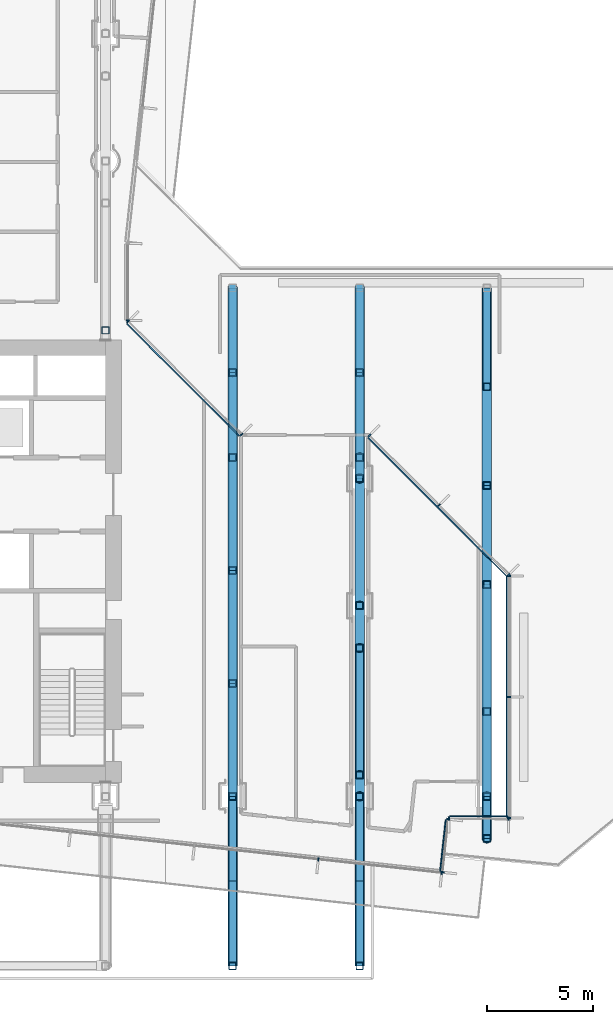
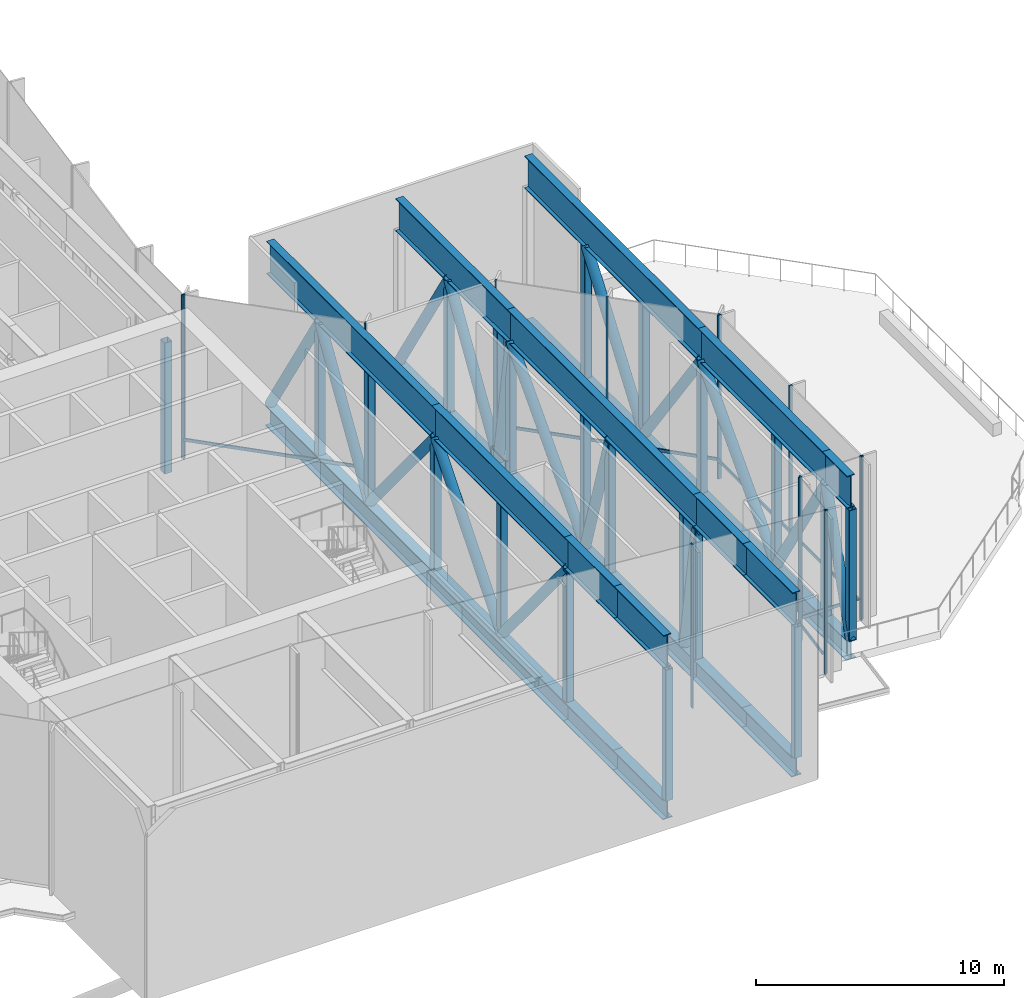
# One storey, part 4 of 24: 77 members, 7 elements without a shape of their own.
"""IFC4 building model written with IfcOpenShell, lengths in metres."""

from ifc_helpers import new_model, si_unit, direction, frame, origin, origin_2d, place, context, subcontext, project, spatial, rectangle, hollow_rectangle, hollow_circle, i_section, extrude, material, layer, layer_set, material_profile, profile_set, type_object, element, aggregate, save


model = new_model("IFC4")

# Units and contexts
model_context = context("Model", 3, precision=1e-05, world=origin(), true_north=direction((0.0, 1.0)))
body_context = subcontext(model_context, "Body", "Model", "MODEL_VIEW")
ifc_project = project(units=[si_unit("LENGTHUNIT", "METRE"), si_unit("AREAUNIT", "SQUARE_METRE"), si_unit("VOLUMEUNIT", "CUBIC_METRE"), si_unit("PLANEANGLEUNIT", "RADIAN"), si_unit("MASSUNIT", "GRAM", prefix="KILO")], contexts=[model_context])

# Site, building, storey
site_placement = place(None, origin())
site = spatial("IfcSite", under=ifc_project, at=site_placement, CompositionType="ELEMENT")
building_placement = place(site_placement, origin())
building = spatial("IfcBuilding", under=site, at=building_placement, Name="Welwitschia Terrace Campus", CompositionType="ELEMENT")
storey_placement = place(building_placement, frame((0.0, 0.0, 138.199951171875)))
storey = spatial("IfcBuildingStorey", under=building, at=storey_placement, Name="L31", CompositionType="ELEMENT", Elevation=138.199951171875)

# Curtain wall, members
ifc_material_1 = material(Name="Bronze anodised aluminium", Category="aluminium")
ifc_layer = layer(ifc_material_1, 0.159912109375)
ifc_layer_set = layer_set([ifc_layer], Name="Bronze anodised aluminium")
curtain_wall_type = type_object("IfcCurtainWallType", Name="Curtain wall CW3 commons 6000", PredefinedType="NOTDEFINED", material=ifc_layer_set)
curtain_wall_1_placement = place(storey_placement, origin())
curtain_wall_1 = element("IfcCurtainWall", 1, at=curtain_wall_1_placement, inside=storey, type_object=curtain_wall_type, Name="CW L31.2.0", PredefinedType="NOTDEFINED")
ifc_material_2 = material(Name="Bronze anodised aluminium", Category="aluminium")
ifc_material_profile_1 = material_profile(ifc_material_2, rectangle(XDim=0.159912109375, YDim=0.06005859375, at=origin_2d()))
ifc_profile_set_1 = profile_set([ifc_material_profile_1], Name="Bronze anodised aluminium")
member_type_1 = type_object("IfcMemberType", Name="Mullion 60x160", PredefinedType="MULLION", material=ifc_profile_set_1)
member_1_placement = place(storey_placement, frame((34.046630859375, 1.026611328125, 0.0), z_axis=(0.0, 0.0, 1.0), x_axis=(0.108866874852, 0.994056338222, 0.0)))
member_1 = element("IfcMember", 2, at=member_1_placement, type_object=member_type_1, Name="Mullion L31.2.0.3", PredefinedType="MULLION", context=body_context, shape_type="SweptSolid", body=[
    extrude(rectangle(XDim=0.159912109375, YDim=0.06005859375, at=origin_2d()), origin(), (0.0, 0.0, 1.0), 8.050048828125),
])
member_2_placement = place(storey_placement, frame((39.87109375, 0.388671875, 0.0), z_axis=(0.0, 0.0, 1.0), x_axis=(0.108866874852, 0.994056338222, 0.0)))
member_2 = element("IfcMember", 3, at=member_2_placement, type_object=member_type_1, Name="Mullion L31.2.0.4", PredefinedType="MULLION", context=body_context, shape_type="SweptSolid", body=[
    extrude(rectangle(XDim=0.159912109375, YDim=0.06005859375, at=origin_2d()), origin(), (0.0, 0.0, 1.0), 8.050048828125),
])
aggregate(curtain_wall_1, [member_1, member_2])

curtain_wall_2_placement = place(storey_placement, origin())
curtain_wall_2 = element("IfcCurtainWall", 4, at=curtain_wall_2_placement, inside=storey, type_object=curtain_wall_type, Name="CW L31.3.0", PredefinedType="NOTDEFINED")
member_3_placement = place(storey_placement, frame((39.904052734375, 0.415283203125, 0.0), z_axis=(0.0, 0.0, 1.0), x_axis=(-0.994056338222, 0.108866874852, 0.0)))
member_3 = element("IfcMember", 5, at=member_3_placement, type_object=member_type_1, Name="Mullion L31.3.0.0", PredefinedType="MULLION", context=body_context, shape_type="SweptSolid", body=[
    extrude(rectangle(XDim=0.159912109375, YDim=0.06005859375, at=origin_2d()), origin(), (0.0, 0.0, 1.0), 8.050048828125),
])
member_4_placement = place(storey_placement, frame((40.178466796875, 2.920166015625, 0.0), z_axis=(0.0, 0.0, 1.0), x_axis=(-0.994056338222, 0.108866874852, 0.0)))
member_4 = element("IfcMember", 6, at=member_4_placement, type_object=member_type_1, Name="Mullion L31.3.0.1", PredefinedType="MULLION", context=body_context, shape_type="SweptSolid", body=[
    extrude(rectangle(XDim=0.159912109375, YDim=0.06005859375, at=origin_2d()), origin(), (0.0, 0.0, 1.0), 8.050048828125),
])

curtain_wall_3_placement = place(storey_placement, origin())
curtain_wall_3 = element("IfcCurtainWall", 7, at=curtain_wall_3_placement, inside=storey, type_object=curtain_wall_type, Name="CW L31.4.0", PredefinedType="NOTDEFINED")
member_5_placement = place(storey_placement, frame((40.211669921875, 2.949951171875, 0.0), z_axis=(0.0, 0.0, 1.0), x_axis=(0.0, 1.0, 0.0)))
member_5 = element("IfcMember", 8, at=member_5_placement, type_object=member_type_1, Name="Mullion L31.4.0.0", PredefinedType="MULLION", context=body_context, shape_type="SweptSolid", body=[
    extrude(rectangle(XDim=0.159912109375, YDim=0.06005859375, at=origin_2d()), origin(), (0.0, 0.0, 1.0), 8.050048828125),
])
member_6_placement = place(storey_placement, frame((43.02001953125, 2.949951171875, 0.0), z_axis=(0.0, 0.0, 1.0), x_axis=(0.0, 1.0, 0.0)))
member_6 = element("IfcMember", 9, at=member_6_placement, type_object=member_type_1, Name="Mullion L31.4.0.1", PredefinedType="MULLION", context=body_context, shape_type="SweptSolid", body=[
    extrude(rectangle(XDim=0.159912109375, YDim=0.06005859375, at=origin_2d()), origin(), (0.0, 0.0, 1.0), 8.050048828125),
])

curtain_wall_4_placement = place(storey_placement, origin())
curtain_wall_4 = element("IfcCurtainWall", 10, at=curtain_wall_4_placement, inside=storey, type_object=curtain_wall_type, Name="CW L31.5.0", PredefinedType="NOTDEFINED")
member_7_placement = place(storey_placement, frame((43.050048828125, 2.97998046875, 0.0), z_axis=(0.0, 0.0, 1.0), x_axis=(-1.0, 0.0, 0.0)))
member_7 = element("IfcMember", 11, at=member_7_placement, type_object=member_type_1, Name="Mullion L31.5.0.0", PredefinedType="MULLION", context=body_context, shape_type="SweptSolid", body=[
    extrude(rectangle(XDim=0.159912109375, YDim=0.06005859375, at=origin_2d()), origin(), (0.0, 0.0, 1.0), 8.050048828125),
])
member_8_placement = place(storey_placement, frame((43.050048828125, 8.6923828125, 0.0), z_axis=(0.0, 0.0, 1.0), x_axis=(-1.0, 0.0, 0.0)))
member_8 = element("IfcMember", 12, at=member_8_placement, type_object=member_type_1, Name="Mullion L31.5.0.1", PredefinedType="MULLION", context=body_context, shape_type="SweptSolid", body=[
    extrude(rectangle(XDim=0.159912109375, YDim=0.06005859375, at=origin_2d()), origin(), (0.0, 0.0, 1.0), 8.050048828125),
])
member_9_placement = place(storey_placement, frame((43.050048828125, 14.405029296875, 0.0), z_axis=(0.0, 0.0, 1.0), x_axis=(-1.0, 0.0, 0.0)))
member_9 = element("IfcMember", 13, at=member_9_placement, type_object=member_type_1, Name="Mullion L31.5.0.2", PredefinedType="MULLION", context=body_context, shape_type="SweptSolid", body=[
    extrude(rectangle(XDim=0.159912109375, YDim=0.06005859375, at=origin_2d()), origin(), (0.0, 0.0, 1.0), 8.050048828125),
])

curtain_wall_5_placement = place(storey_placement, origin())
curtain_wall_5 = element("IfcCurtainWall", 14, at=curtain_wall_5_placement, inside=storey, type_object=curtain_wall_type, Name="CW L31.6.0", PredefinedType="NOTDEFINED")
member_10_placement = place(storey_placement, frame((43.02880859375, 14.4560546875, 0.0), z_axis=(0.0, 0.0, 1.0), x_axis=(-0.707106781187, -0.707106781187, 0.0)))
member_10 = element("IfcMember", 15, at=member_10_placement, type_object=member_type_1, Name="Mullion L31.6.0.0", PredefinedType="MULLION", context=body_context, shape_type="SweptSolid", body=[
    extrude(rectangle(XDim=0.159912109375, YDim=0.06005859375, at=origin_2d()), origin(), (0.0, 0.0, 1.0), 8.050048828125),
])
member_11_placement = place(storey_placement, frame((39.742431640625, 17.742431640625, 0.0), z_axis=(0.0, 0.0, 1.0), x_axis=(-0.707106781187, -0.707106781187, 0.0)))
member_11 = element("IfcMember", 16, at=member_11_placement, type_object=member_type_1, Name="Mullion L31.6.0.1", PredefinedType="MULLION", context=body_context, shape_type="SweptSolid", body=[
    extrude(rectangle(XDim=0.159912109375, YDim=0.06005859375, at=origin_2d()), origin(), (0.0, 0.0, 1.0), 8.050048828125),
])
member_12_placement = place(storey_placement, frame((36.4560546875, 21.02880859375, 0.0), z_axis=(0.0, 0.0, 1.0), x_axis=(-0.707106781187, -0.707106781187, 0.0)))
member_12 = element("IfcMember", 17, at=member_12_placement, type_object=member_type_1, Name="Mullion L31.6.0.2", PredefinedType="MULLION", context=body_context, shape_type="SweptSolid", body=[
    extrude(rectangle(XDim=0.159912109375, YDim=0.06005859375, at=origin_2d()), origin(), (0.0, 0.0, 1.0), 8.050048828125),
])

curtain_wall_6_placement = place(storey_placement, origin())
curtain_wall_6 = element("IfcCurtainWall", 18, at=curtain_wall_6_placement, inside=storey, type_object=curtain_wall_type, Name="CW L31.8.0", PredefinedType="NOTDEFINED")
member_13_placement = place(storey_placement, frame((30.413818359375, 21.0712890625, 0.0), z_axis=(0.0, 0.0, 1.0), x_axis=(-0.707106781187, -0.707106781187, 0.0)))
member_13 = element("IfcMember", 19, at=member_13_placement, type_object=member_type_1, Name="Mullion L31.8.0.0", PredefinedType="MULLION", context=body_context, shape_type="SweptSolid", body=[
    extrude(rectangle(XDim=0.159912109375, YDim=0.06005859375, at=origin_2d()), origin(), (0.0, 0.0, 1.0), 8.050048828125),
])
member_14_placement = place(storey_placement, frame((25.0712890625, 26.413818359375, 0.0), z_axis=(0.0, 0.0, 1.0), x_axis=(-0.707106781187, -0.707106781187, 0.0)))
member_14 = element("IfcMember", 20, at=member_14_placement, type_object=member_type_1, Name="Mullion L31.8.0.1", PredefinedType="MULLION", context=body_context, shape_type="SweptSolid", body=[
    extrude(rectangle(XDim=0.159912109375, YDim=0.06005859375, at=origin_2d()), origin(), (0.0, 0.0, 1.0), 8.050048828125),
])

# Curtain wall, member
curtain_wall_7_placement = place(storey_placement, origin())
curtain_wall_7 = element("IfcCurtainWall", 21, at=curtain_wall_7_placement, inside=storey, type_object=curtain_wall_type, Name="CW L31.9.0", PredefinedType="NOTDEFINED")
member_15_placement = place(storey_placement, frame((25.050048828125, 26.46484375, 0.0), z_axis=(0.0, 0.0, 1.0), x_axis=(-1.0, 0.0, 0.0)))
member_15 = element("IfcMember", 22, at=member_15_placement, type_object=member_type_1, Name="Mullion L31.9.0.0", PredefinedType="MULLION", context=body_context, shape_type="SweptSolid", body=[
    extrude(rectangle(XDim=0.159912109375, YDim=0.06005859375, at=origin_2d()), origin(), (0.0, 0.0, 1.0), 8.050048828125),
])
aggregate(curtain_wall_7, [member_15])

# Members
ifc_material_3 = material(Name="Steel S355", Category="steel")
ifc_material_profile_2 = material_profile(ifc_material_3, i_section(OverallWidth=0.449951171875, OverallDepth=1.0, WebThickness=0.0400390625, FlangeThickness=0.0400390625, at=origin_2d()))
ifc_profile_set_2 = profile_set([ifc_material_profile_2], Name="Steel S355")
member_type_2 = type_object("IfcMemberType", Name="Transfer truss C2 bottom cantilever chord WI 1000x450x40x40", PredefinedType="CHORD", material=ifc_profile_set_2)
for number, where, z_axis, x_axis, name in (
    (23, (30.0, -4.0, -0.5), (0.0, 1.0, 0.0), (-1.0, 0.0, 0.0), "Truss bottom chord"),
    (24, (30.0, 0.0, -0.5), (0.0, 1.0, 0.0), (-1.0, 0.0, 0.0), "Truss bottom chord"),
    (25, (36.0, -4.0, -0.5), (0.0, 1.0, 0.0), (-1.0, 0.0, 0.0), "Truss bottom chord"),
    (26, (36.0, 0.0, -0.5), (0.0, 1.0, 0.0), (-1.0, 0.0, 0.0), "Truss bottom chord"),
):
    element("IfcMember", number, at=place(storey_placement, frame(where, z_axis=z_axis, x_axis=x_axis)), inside=storey, type_object=member_type_2, Name=name, PredefinedType="CHORD", context=body_context, shape_type="SweptSolid", body=[
        extrude(i_section(OverallWidth=0.449951171875, OverallDepth=1.0, WebThickness=0.0400390625, FlangeThickness=0.0400390625, at=origin_2d()), origin(), (0.0, 0.0, 1.0), 4.0),
    ])
member_16_placement = place(storey_placement, frame((42.0, 2.0, -0.5), z_axis=(0.0, 1.0, 0.0), x_axis=(-1.0, 0.0, 0.0)))
element("IfcMember", 27, at=member_16_placement, inside=storey, type_object=member_type_2, Name="Truss bottom chord", PredefinedType="CHORD", context=body_context, shape_type="SweptSolid", body=[
    extrude(i_section(OverallWidth=0.449951171875, OverallDepth=1.0, WebThickness=0.0400390625, FlangeThickness=0.0400390625, at=origin_2d()), origin(), (0.0, 0.0, 1.0), 2.0),
])
ifc_material_4 = material(Name="Steel S355", Category="steel")
ifc_material_profile_3 = material_profile(ifc_material_4, i_section(OverallWidth=0.449951171875, OverallDepth=1.0, WebThickness=0.030029296875, FlangeThickness=0.0400390625, at=origin_2d()))
ifc_profile_set_3 = profile_set([ifc_material_profile_3], Name="Steel S355")
member_type_3 = type_object("IfcMemberType", Name="Transfer truss C2 bottom chord WI 1000x450x30x40", PredefinedType="CHORD", material=ifc_profile_set_3)
member_17_placement = place(storey_placement, frame((30.0, 4.0, -0.5), z_axis=(0.0, 1.0, 0.0), x_axis=(-1.0, 0.0, 0.0)))
element("IfcMember", 28, at=member_17_placement, inside=storey, type_object=member_type_3, Name="Truss bottom chord", PredefinedType="CHORD", context=body_context, shape_type="SweptSolid", body=[
    extrude(i_section(OverallWidth=0.449951171875, OverallDepth=1.0, WebThickness=0.030029296875, FlangeThickness=0.0400390625, at=origin_2d()), origin(), (0.0, 0.0, 1.0), 24.0),
])
member_18_placement = place(storey_placement, frame((36.0, 4.0, -0.5), z_axis=(0.0, 1.0, 0.0), x_axis=(-1.0, 0.0, 0.0)))
element("IfcMember", 29, at=member_18_placement, inside=storey, type_object=member_type_3, Name="Truss bottom chord", PredefinedType="CHORD", context=body_context, shape_type="SweptSolid", body=[
    extrude(i_section(OverallWidth=0.449951171875, OverallDepth=1.0, WebThickness=0.030029296875, FlangeThickness=0.0400390625, at=origin_2d()), origin(), (0.0, 0.0, 1.0), 15.0),
])
member_19_placement = place(storey_placement, frame((36.0, 19.0, -0.5), z_axis=(0.0, 1.0, 0.0), x_axis=(-1.0, 0.0, 0.0)))
element("IfcMember", 30, at=member_19_placement, inside=storey, type_object=member_type_3, Name="Truss bottom chord", PredefinedType="CHORD", context=body_context, shape_type="SweptSolid", body=[
    extrude(i_section(OverallWidth=0.449951171875, OverallDepth=1.0, WebThickness=0.030029296875, FlangeThickness=0.0400390625, at=origin_2d()), origin(), (0.0, 0.0, 1.0), 9.0),
])
member_20_placement = place(storey_placement, frame((42.0, 4.0, -0.5), z_axis=(0.0, 1.0, 0.0), x_axis=(-1.0, 0.0, 0.0)))
element("IfcMember", 31, at=member_20_placement, inside=storey, type_object=member_type_3, Name="Truss bottom chord", PredefinedType="CHORD", context=body_context, shape_type="SweptSolid", body=[
    extrude(i_section(OverallWidth=0.449951171875, OverallDepth=1.0, WebThickness=0.030029296875, FlangeThickness=0.0400390625, at=origin_2d()), origin(), (0.0, 0.0, 1.0), 24.0),
])
ifc_material_5 = material(Name="Steel S355", Category="steel")
ifc_material_profile_4 = material_profile(ifc_material_5, hollow_circle(Radius=0.228515625, WallThickness=0.02001953125, at=origin_2d()))
ifc_profile_set_4 = profile_set([ifc_material_profile_4], Name="Steel S355")
member_type_4 = type_object("IfcMemberType", Name="Transfer truss C2 diagonal CHS 457x20", PredefinedType="BRACE", material=ifc_profile_set_4)
for number, where, z_axis, x_axis, name in (
    (32, (30.0, 9.3330078125, 0.0), (0.0, -0.637221380075, 0.770680811216), (1.0, 0.0, 0.0), "Truss diagonal"),
    (33, (30.0, 9.3330078125, 0.0), (0.0, 0.637221380075, 0.770680811216), (-1.0, 0.0, 0.0), "Truss diagonal"),
):
    element("IfcMember", number, at=place(storey_placement, frame(where, z_axis=z_axis, x_axis=x_axis)), inside=storey, type_object=member_type_4, Name=name, PredefinedType="BRACE", context=body_context, shape_type="SweptSolid", body=[
        extrude(hollow_circle(Radius=0.228515625, WallThickness=0.02001953125, at=origin_2d()), origin(), (0.0, 0.0, 1.0), 8.369140625),
    ])
member_21_placement = place(storey_placement, frame((30.0, 20.0, 0.0), z_axis=(0.0, -0.637290677774, 0.77062350861), x_axis=(1.0, 0.0, 0.0)))
element("IfcMember", 34, at=member_21_placement, inside=storey, type_object=member_type_4, Name="Truss diagonal", PredefinedType="BRACE", context=body_context, shape_type="SweptSolid", body=[
    extrude(hollow_circle(Radius=0.228515625, WallThickness=0.02001953125, at=origin_2d()), origin(), (0.0, 0.0, 1.0), 8.369873046875),
])
for number, where, z_axis, x_axis, name in (
    (35, (30.0, 20.0, 0.0), (0.0, 0.527037721004, 0.849841891553), (-1.0, 0.0, 0.0), "Truss diagonal"),
    (36, (30.0, 28.0, 0.0), (0.0, -0.527037721004, 0.849841891553), (1.0, 0.0, 0.0), "Truss diagonal"),
):
    element("IfcMember", number, at=place(storey_placement, frame(where, z_axis=z_axis, x_axis=x_axis)), inside=storey, type_object=member_type_4, Name=name, PredefinedType="BRACE", context=body_context, shape_type="SweptSolid", body=[
        extrude(hollow_circle(Radius=0.228515625, WallThickness=0.02001953125, at=origin_2d()), origin(), (0.0, 0.0, 1.0), 7.589599609375),
    ])
member_22_placement = place(storey_placement, frame((36.0, 5.0, 0.0), z_axis=(0.0, -0.153209490384, 0.988193732047), x_axis=(1.0, 0.0, 0.0)))
element("IfcMember", 37, at=member_22_placement, inside=storey, type_object=member_type_4, Name="Truss diagonal", PredefinedType="BRACE", context=body_context, shape_type="SweptSolid", body=[
    extrude(hollow_circle(Radius=0.228515625, WallThickness=0.02001953125, at=origin_2d()), origin(), (0.0, 0.0, 1.0), 6.527099609375),
])
member_23_placement = place(storey_placement, frame((36.0, 13.0, 0.0), z_axis=(0.0, -0.296168365803, 0.955135749042), x_axis=(1.0, 0.0, 0.0)))
element("IfcMember", 38, at=member_23_placement, inside=storey, type_object=member_type_4, Name="Truss diagonal", PredefinedType="BRACE", context=body_context, shape_type="SweptSolid", body=[
    extrude(hollow_circle(Radius=0.228515625, WallThickness=0.02001953125, at=origin_2d()), origin(), (0.0, 0.0, 1.0), 6.7529296875),
])
member_24_placement = place(storey_placement, frame((36.0, 13.0, 0.0), z_axis=(0.0, 0.681106706671, 0.732184166811), x_axis=(-1.0, 0.0, 0.0)))
element("IfcMember", 39, at=member_24_placement, inside=storey, type_object=member_type_4, Name="Truss diagonal", PredefinedType="BRACE", context=body_context, shape_type="SweptSolid", body=[
    extrude(hollow_circle(Radius=0.228515625, WallThickness=0.02001953125, at=origin_2d()), origin(), (0.0, 0.0, 1.0), 8.80908203125),
])
member_25_placement = place(storey_placement, frame((36.0, 20.0, 0.0), z_axis=(0.0, -0.153209490384, 0.988193732047), x_axis=(1.0, 0.0, 0.0)))
element("IfcMember", 40, at=member_25_placement, inside=storey, type_object=member_type_4, Name="Truss diagonal", PredefinedType="BRACE", context=body_context, shape_type="SweptSolid", body=[
    extrude(hollow_circle(Radius=0.228515625, WallThickness=0.02001953125, at=origin_2d()), origin(), (0.0, 0.0, 1.0), 6.527099609375),
])
for number, where, z_axis, x_axis, name in (
    (41, (36.0, 20.0, 0.0), (0.0, 0.527037721004, 0.849841891553), (-1.0, 0.0, 0.0), "Truss diagonal"),
    (42, (36.0, 28.0, 0.0), (0.0, -0.527037721004, 0.849841891553), (1.0, 0.0, 0.0), "Truss diagonal"),
):
    element("IfcMember", number, at=place(storey_placement, frame(where, z_axis=z_axis, x_axis=x_axis)), inside=storey, type_object=member_type_4, Name=name, PredefinedType="BRACE", context=body_context, shape_type="SweptSolid", body=[
        extrude(hollow_circle(Radius=0.228515625, WallThickness=0.02001953125, at=origin_2d()), origin(), (0.0, 0.0, 1.0), 7.589599609375),
    ])
member_26_placement = place(storey_placement, frame((42.0, 2.0, 0.0), z_axis=(0.0, 0.296168365803, 0.955135749042), x_axis=(-1.0, 0.0, 0.0)))
element("IfcMember", 43, at=member_26_placement, inside=storey, type_object=member_type_4, Name="Truss diagonal", PredefinedType="BRACE", context=body_context, shape_type="SweptSolid", body=[
    extrude(hollow_circle(Radius=0.228515625, WallThickness=0.02001953125, at=origin_2d()), origin(), (0.0, 0.0, 1.0), 6.7529296875),
])
member_27_placement = place(storey_placement, frame((42.0, 8.0, 0.0), z_axis=(0.0, -0.527037721004, 0.849841891553), x_axis=(1.0, 0.0, 0.0)))
element("IfcMember", 44, at=member_27_placement, inside=storey, type_object=member_type_4, Name="Truss diagonal", PredefinedType="BRACE", context=body_context, shape_type="SweptSolid", body=[
    extrude(hollow_circle(Radius=0.228515625, WallThickness=0.02001953125, at=origin_2d()), origin(), (0.0, 0.0, 1.0), 7.589599609375),
])
member_28_placement = place(storey_placement, frame((42.0, 8.0, 0.0), z_axis=(0.0, 0.681106706671, 0.732184166811), x_axis=(-1.0, 0.0, 0.0)))
element("IfcMember", 45, at=member_28_placement, inside=storey, type_object=member_type_4, Name="Truss diagonal", PredefinedType="BRACE", context=body_context, shape_type="SweptSolid", body=[
    extrude(hollow_circle(Radius=0.228515625, WallThickness=0.02001953125, at=origin_2d()), origin(), (0.0, 0.0, 1.0), 8.80908203125),
])
for number, where, z_axis, x_axis, name in (
    (46, (42.0, 18.6669921875, 0.0), (0.0, -0.586208016804, 0.810160577315), (1.0, 0.0, 0.0), "Truss diagonal"),
    (47, (42.0, 18.6669921875, 0.0), (0.0, 0.586208016804, 0.810160577315), (-1.0, 0.0, 0.0), "Truss diagonal"),
):
    element("IfcMember", number, at=place(storey_placement, frame(where, z_axis=z_axis, x_axis=x_axis)), inside=storey, type_object=member_type_4, Name=name, PredefinedType="BRACE", context=body_context, shape_type="SweptSolid", body=[
        extrude(hollow_circle(Radius=0.228515625, WallThickness=0.02001953125, at=origin_2d()), origin(), (0.0, 0.0, 1.0), 7.96142578125),
    ])
ifc_material_6 = material(Name="Steel S355", Category="steel")
ifc_material_profile_5 = material_profile(ifc_material_6, hollow_rectangle(XDim=0.35009765625, YDim=0.35009765625, WallThickness=0.02001953125, InnerFilletRadius=0.02001953125, OuterFilletRadius=0.030029296875, at=origin_2d()))
ifc_profile_set_5 = profile_set([ifc_material_profile_5], Name="Steel S355")
member_type_5 = type_object("IfcMemberType", Name="Transfer truss C2 post SHS 350x350x20", PredefinedType="POST", material=ifc_profile_set_5)
for number, where, z_axis, x_axis, name in (
    (48, (24.0, 26.0, 0.0), (0.0, 0.0, 1.0), (1.0, 0.0, 0.0), "Truss post"),
    (49, (30.0, -4.0, 0.0), (0.0, 0.0, 1.0), (1.0, 0.0, 0.0), "Truss post"),
    (50, (30.0, 4.0, 0.0), (0.0, 0.0, 1.0), (1.0, 0.0, 0.0), "Truss post"),
    (51, (30.0, 9.3330078125, 0.0), (0.0, 0.0, 1.0), (1.0, 0.0, 0.0), "Truss post"),
    (52, (30.0, 14.666015625, 0.0), (0.0, 0.0, 1.0), (1.0, 0.0, 0.0), "Truss post"),
    (53, (30.0, 20.0, 0.0), (0.0, 0.0, 1.0), (1.0, 0.0, 0.0), "Truss post"),
    (54, (30.0, 24.0, 0.0), (0.0, 0.0, 1.0), (1.0, 0.0, 0.0), "Truss post"),
    (55, (36.0, -4.0, 0.0), (0.0, 0.0, 1.0), (1.0, 0.0, 0.0), "Truss post"),
    (56, (36.0, 4.0, 0.0), (0.0, 0.0, 1.0), (1.0, 0.0, 0.0), "Truss post"),
    (57, (36.0, 5.0, 0.0), (0.0, 0.0, 1.0), (1.0, 0.0, 0.0), "Truss post"),
    (58, (36.0, 11.0, 0.0), (0.0, 0.0, 1.0), (1.0, 0.0, 0.0), "Truss post"),
    (59, (36.0, 13.0, 0.0), (0.0, 0.0, 1.0), (1.0, 0.0, 0.0), "Truss post"),
    (60, (36.0, 19.0, 0.0), (0.0, 0.0, 1.0), (1.0, 0.0, 0.0), "Truss post"),
    (61, (36.0, 20.0, 0.0), (0.0, 0.0, 1.0), (1.0, 0.0, 0.0), "Truss post"),
    (62, (36.0, 24.0, 0.0), (0.0, 0.0, 1.0), (1.0, 0.0, 0.0), "Truss post"),
    (63, (42.0, 2.0, 0.0), (0.0, 0.0, 1.0), (1.0, 0.0, 0.0), "Truss post"),
    (64, (42.0, 4.0, 0.0), (0.0, 0.0, 1.0), (1.0, 0.0, 0.0), "Truss post"),
    (65, (42.0, 8.0, 0.0), (0.0, 0.0, 1.0), (1.0, 0.0, 0.0), "Truss post"),
    (66, (42.0, 14.0, 0.0), (0.0, 0.0, 1.0), (1.0, 0.0, 0.0), "Truss post"),
    (67, (42.0, 18.6669921875, 0.0), (0.0, 0.0, 1.0), (1.0, 0.0, 0.0), "Truss post"),
    (68, (42.0, 23.333984375, 0.0), (0.0, 0.0, 1.0), (1.0, 0.0, 0.0), "Truss post"),
):
    element("IfcMember", number, at=place(storey_placement, frame(where, z_axis=z_axis, x_axis=x_axis)), inside=storey, type_object=member_type_5, Name=name, PredefinedType="POST", context=body_context, shape_type="SweptSolid", body=[
        extrude(hollow_rectangle(XDim=0.35009765625, YDim=0.35009765625, WallThickness=0.02001953125, InnerFilletRadius=0.02001953125, OuterFilletRadius=0.030029296875, at=origin_2d()), origin(), (0.0, 0.0, 1.0), 6.449951171875),
    ])
ifc_material_7 = material(Name="Steel S355", Category="steel")
ifc_material_profile_6 = material_profile(ifc_material_7, i_section(OverallWidth=0.35009765625, OverallDepth=1.60009765625, WebThickness=0.0400390625, FlangeThickness=0.0400390625, at=origin_2d()))
ifc_profile_set_6 = profile_set([ifc_material_profile_6], Name="Steel S355")
member_type_6 = type_object("IfcMemberType", Name="Transfer truss C2 top cantilever chord WI 1600x350x40x40", PredefinedType="CHORD", material=ifc_profile_set_6)
for number, where, z_axis, x_axis, name in (
    (69, (30.0, -4.0, 7.25), (0.0, 1.0, 0.0), (-1.0, 0.0, 0.0), "Truss top chord"),
    (70, (30.0, 0.0, 7.25), (0.0, 1.0, 0.0), (-1.0, 0.0, 0.0), "Truss top chord"),
    (71, (36.0, -4.0, 7.25), (0.0, 1.0, 0.0), (-1.0, 0.0, 0.0), "Truss top chord"),
    (72, (36.0, 0.0, 7.25), (0.0, 1.0, 0.0), (-1.0, 0.0, 0.0), "Truss top chord"),
):
    element("IfcMember", number, at=place(storey_placement, frame(where, z_axis=z_axis, x_axis=x_axis)), inside=storey, type_object=member_type_6, Name=name, PredefinedType="CHORD", context=body_context, shape_type="SweptSolid", body=[
        extrude(i_section(OverallWidth=0.35009765625, OverallDepth=1.60009765625, WebThickness=0.0400390625, FlangeThickness=0.0400390625, at=origin_2d()), origin(), (0.0, 0.0, 1.0), 4.0),
    ])
member_29_placement = place(storey_placement, frame((42.0, 2.0, 7.25), z_axis=(0.0, 1.0, 0.0), x_axis=(-1.0, 0.0, 0.0)))
element("IfcMember", 73, at=member_29_placement, inside=storey, type_object=member_type_6, Name="Truss top chord", PredefinedType="CHORD", context=body_context, shape_type="SweptSolid", body=[
    extrude(i_section(OverallWidth=0.35009765625, OverallDepth=1.60009765625, WebThickness=0.0400390625, FlangeThickness=0.0400390625, at=origin_2d()), origin(), (0.0, 0.0, 1.0), 2.0),
])
ifc_material_8 = material(Name="Steel S355", Category="steel")
ifc_material_profile_7 = material_profile(ifc_material_8, i_section(OverallWidth=0.35009765625, OverallDepth=1.60009765625, WebThickness=0.030029296875, FlangeThickness=0.0400390625, at=origin_2d()))
ifc_profile_set_7 = profile_set([ifc_material_profile_7], Name="Steel S355")
member_type_7 = type_object("IfcMemberType", Name="Transfer truss C2 top chord WI 1600x350x30x40", PredefinedType="CHORD", material=ifc_profile_set_7)
member_30_placement = place(storey_placement, frame((30.0, 4.0, 7.25), z_axis=(0.0, 1.0, 0.0), x_axis=(-1.0, 0.0, 0.0)))
element("IfcMember", 74, at=member_30_placement, inside=storey, type_object=member_type_7, Name="Truss top chord", PredefinedType="CHORD", context=body_context, shape_type="SweptSolid", body=[
    extrude(i_section(OverallWidth=0.35009765625, OverallDepth=1.60009765625, WebThickness=0.030029296875, FlangeThickness=0.0400390625, at=origin_2d()), origin(), (0.0, 0.0, 1.0), 10.666015625),
])
member_31_placement = place(storey_placement, frame((30.0, 14.666015625, 7.25), z_axis=(0.0, 1.0, 0.0), x_axis=(-1.0, 0.0, 0.0)))
element("IfcMember", 75, at=member_31_placement, inside=storey, type_object=member_type_7, Name="Truss top chord", PredefinedType="CHORD", context=body_context, shape_type="SweptSolid", body=[
    extrude(i_section(OverallWidth=0.35009765625, OverallDepth=1.60009765625, WebThickness=0.030029296875, FlangeThickness=0.0400390625, at=origin_2d()), origin(), (0.0, 0.0, 1.0), 13.333984375),
])
member_32_placement = place(storey_placement, frame((36.0, 4.0, 7.25), z_axis=(0.0, 1.0, 0.0), x_axis=(-1.0, 0.0, 0.0)))
element("IfcMember", 76, at=member_32_placement, inside=storey, type_object=member_type_7, Name="Truss top chord", PredefinedType="CHORD", context=body_context, shape_type="SweptSolid", body=[
    extrude(i_section(OverallWidth=0.35009765625, OverallDepth=1.60009765625, WebThickness=0.030029296875, FlangeThickness=0.0400390625, at=origin_2d()), origin(), (0.0, 0.0, 1.0), 15.0),
])
member_33_placement = place(storey_placement, frame((36.0, 19.0, 7.25), z_axis=(0.0, 1.0, 0.0), x_axis=(-1.0, 0.0, 0.0)))
element("IfcMember", 77, at=member_33_placement, inside=storey, type_object=member_type_7, Name="Truss top chord", PredefinedType="CHORD", context=body_context, shape_type="SweptSolid", body=[
    extrude(i_section(OverallWidth=0.35009765625, OverallDepth=1.60009765625, WebThickness=0.030029296875, FlangeThickness=0.0400390625, at=origin_2d()), origin(), (0.0, 0.0, 1.0), 9.0),
])
member_34_placement = place(storey_placement, frame((42.0, 4.0, 7.25), z_axis=(0.0, 1.0, 0.0), x_axis=(-1.0, 0.0, 0.0)))
element("IfcMember", 78, at=member_34_placement, inside=storey, type_object=member_type_7, Name="Truss top chord", PredefinedType="CHORD", context=body_context, shape_type="SweptSolid", body=[
    extrude(i_section(OverallWidth=0.35009765625, OverallDepth=1.60009765625, WebThickness=0.030029296875, FlangeThickness=0.0400390625, at=origin_2d()), origin(), (0.0, 0.0, 1.0), 10.0),
])
member_35_placement = place(storey_placement, frame((42.0, 14.0, 7.25), z_axis=(0.0, 1.0, 0.0), x_axis=(-1.0, 0.0, 0.0)))
element("IfcMember", 79, at=member_35_placement, inside=storey, type_object=member_type_7, Name="Truss top chord", PredefinedType="CHORD", context=body_context, shape_type="SweptSolid", body=[
    extrude(i_section(OverallWidth=0.35009765625, OverallDepth=1.60009765625, WebThickness=0.030029296875, FlangeThickness=0.0400390625, at=origin_2d()), origin(), (0.0, 0.0, 1.0), 14.0),
])

# Member
ifc_material_9 = material(Name="Bronze anodised aluminium", Category="aluminium")
ifc_material_profile_8 = material_profile(ifc_material_9, rectangle(XDim=0.06005859375, YDim=0.14990234375, at=origin_2d()))
ifc_profile_set_8 = profile_set([ifc_material_profile_8], Name="Bronze anodised aluminium")
member_type_8 = type_object("IfcMemberType", Name="Transom 60x150", PredefinedType="USERDEFINED", material=ifc_profile_set_8)
member_36_placement = place(storey_placement, frame((39.798095703125, 0.45703125, 1.0), z_axis=(0.108775628444, 0.994066327091, 0.0), x_axis=(-0.994066327091, 0.108775628444, 0.0)))
member_36 = element("IfcMember", 80, at=member_36_placement, type_object=member_type_8, Name="Transom L31.3.0", ObjectType="TRANSOM", PredefinedType="USERDEFINED", context=body_context, shape_type="SweptSolid", body=[
    extrude(rectangle(XDim=0.06005859375, YDim=0.14990234375, at=origin_2d()), origin(), (0.0, 0.0, 1.0), 2.4599609375),
])

aggregate(curtain_wall_2, [member_3, member_4, member_36])

member_37_placement = place(storey_placement, frame((40.24169921875, 3.06005859375, 1.0), z_axis=(1.0, 0.0, 0.0), x_axis=(0.0, 1.0, 0.0)))
member_37 = element("IfcMember", 81, at=member_37_placement, type_object=member_type_8, Name="Transom L31.4.0", ObjectType="TRANSOM", PredefinedType="USERDEFINED", context=body_context, shape_type="SweptSolid", body=[
    extrude(rectangle(XDim=0.06005859375, YDim=0.14990234375, at=origin_2d()), origin(), (0.0, 0.0, 1.0), 2.748291015625),
])

aggregate(curtain_wall_3, [member_5, member_6, member_37])

member_38_placement = place(storey_placement, frame((42.93994140625, 3.010009765625, 1.0), z_axis=(0.0, 1.0, 0.0), x_axis=(-1.0, 0.0, 0.0)))
member_38 = element("IfcMember", 82, at=member_38_placement, type_object=member_type_8, Name="Transom L31.5.0", ObjectType="TRANSOM", PredefinedType="USERDEFINED", context=body_context, shape_type="SweptSolid", body=[
    extrude(rectangle(XDim=0.06005859375, YDim=0.14990234375, at=origin_2d()), origin(), (0.0, 0.0, 1.0), 11.364990234375),
])

aggregate(curtain_wall_4, [member_7, member_8, member_9, member_38])

member_39_placement = place(storey_placement, frame((42.9296875, 14.399658203125, 1.0), z_axis=(-0.707106781187, 0.707106781187, 0.0), x_axis=(-0.707106781187, -0.707106781187, 0.0)))
member_39 = element("IfcMember", 83, at=member_39_placement, type_object=member_type_8, Name="Transom L31.6.0", ObjectType="TRANSOM", PredefinedType="USERDEFINED", context=body_context, shape_type="SweptSolid", body=[
    extrude(rectangle(XDim=0.06005859375, YDim=0.14990234375, at=origin_2d()), origin(), (0.0, 0.0, 1.0), 9.23486328125),
])

aggregate(curtain_wall_5, [member_10, member_11, member_12, member_39])

member_40_placement = place(storey_placement, frame((30.314697265625, 21.0146484375, 1.0), z_axis=(-0.707106781187, 0.707106781187, 0.0), x_axis=(-0.707106781187, -0.707106781187, 0.0)))
member_40 = element("IfcMember", 84, at=member_40_placement, type_object=member_type_8, Name="Transom L31.8.0", ObjectType="TRANSOM", PredefinedType="USERDEFINED", context=body_context, shape_type="SweptSolid", body=[
    extrude(rectangle(XDim=0.06005859375, YDim=0.14990234375, at=origin_2d()), origin(), (0.0, 0.0, 1.0), 7.495361328125),
])

aggregate(curtain_wall_6, [member_13, member_14, member_40])

save(model, "model.ifc")
